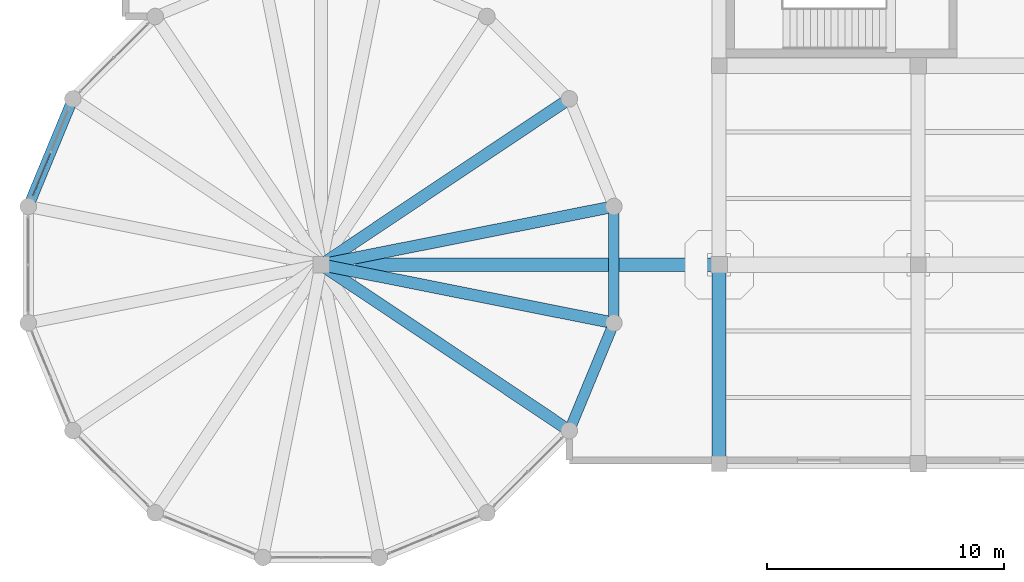
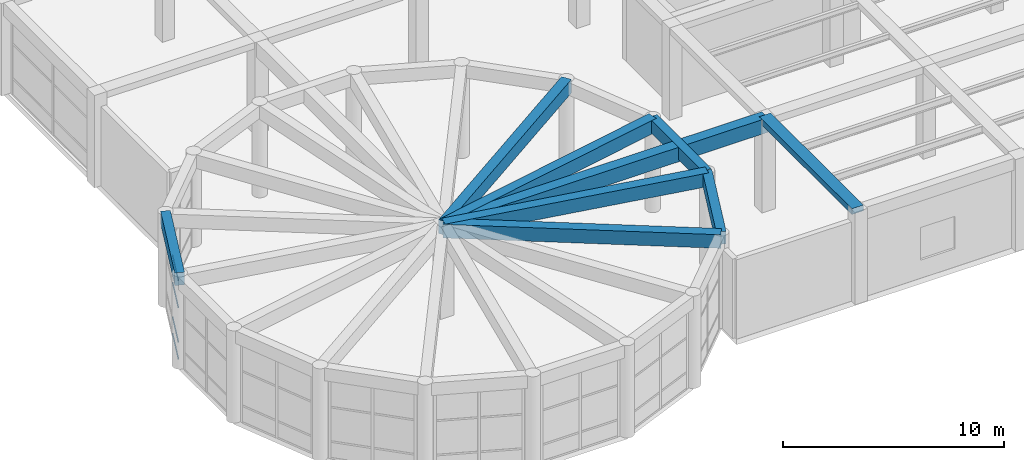
# One storey, part 12 of 96: 9 beams, 4 members, 1 element without a shape of its own.
"""IFC4 building model written with IfcOpenShell, lengths in metres."""

from ifc_helpers import new_model, si_unit, direction, frame, origin, origin_2d, place, context, subcontext, project, spatial, rectangle, hollow_rectangle, extrude, material, material_profile, profile_set, type_object, element, aggregate, save


model = new_model("IFC4")

# Units and contexts
model_context = context("Model", 3, precision=1e-05, world=origin(), true_north=direction((0.0, 1.0)))
body_context = subcontext(model_context, "Body", "Model", "MODEL_VIEW")
ifc_project = project(units=[si_unit("LENGTHUNIT", "METRE"), si_unit("AREAUNIT", "SQUARE_METRE"), si_unit("VOLUMEUNIT", "CUBIC_METRE"), si_unit("PLANEANGLEUNIT", "RADIAN"), si_unit("MASSUNIT", "GRAM", prefix="KILO")], contexts=[model_context])

# Site, building, storey
site_placement = place(None, origin())
site = spatial("IfcSite", under=ifc_project, at=site_placement, CompositionType="ELEMENT")
building_placement = place(site_placement, origin())
building = spatial("IfcBuilding", under=site, at=building_placement, Name="Almacenes y Pasaje Nevantli", CompositionType="ELEMENT")
storey_placement = place(building_placement, frame((0.0, 0.0, 6.0)))
storey = spatial("IfcBuildingStorey", under=building, at=storey_placement, Name="L02", CompositionType="ELEMENT", Elevation=6.0)

# Beams
ifc_material_1 = material(Name="Concrete C35/45", Category="concrete")
ifc_material_profile_1 = material_profile(ifc_material_1, rectangle(XDim=0.449951171875, YDim=0.699951171875, at=origin_2d()), Name="RC-BM-450x700")
ifc_profile_set_1 = profile_set([ifc_material_profile_1], Name="Concrete C35/45")
beam_type_1 = type_object("IfcBeamType", Name="BM-RC-450x700", PredefinedType="SPANDREL", material=ifc_profile_set_1)
for number, where, z_axis, x_axis, name in (
    (1, (-2.076416015625, 15.400146484375, 4.75), (-0.38272458482, -0.923862485532, 0.0), (0.923862485532, -0.38272458482, 0.0), "L02 Rotunda Ring Spandrel Beam #7"),
    (2, (18.87646484375, 1.39990234375, 4.75), (0.382682198272, 0.923880043688, 0.0), (-0.923880043688, 0.382682198272, 0.0), "L02 Rotunda Ring Spandrel Beam #15"),
    (3, (20.7578125, 5.94189453125, 4.75), (0.0, 1.0, 0.0), (-1.0, 0.0, 0.0), "L02 Rotunda Ring Spandrel Beam #16"),
):
    element("IfcBeam", number, at=place(storey_placement, frame(where, z_axis=z_axis, x_axis=x_axis)), inside=storey, type_object=beam_type_1, Name=name, PredefinedType="SPANDREL", context=body_context, shape_type="SweptSolid", body=[
        extrude(rectangle(XDim=0.449951171875, YDim=0.699951171875, at=origin_2d()), origin(), (0.0, 0.0, 1.0), 4.916259765625),
    ])
ifc_material_2 = material(Name="Concrete C35/45", Category="concrete")
ifc_material_profile_2 = material_profile(ifc_material_2, rectangle(XDim=0.5, YDim=0.75, at=origin_2d()), Name="RC-BM-500x750")
ifc_profile_set_2 = profile_set([ifc_material_profile_2], Name="Concrete C35/45")
beam_type_2 = type_object("IfcBeamType", Name="BM-RC-500x750", PredefinedType="BEAM", material=ifc_profile_set_2)
for number, where, z_axis, x_axis, name in (
    (4, (8.39990234375, 8.39990234375, 4.72509765625), (0.980783597961, 0.195098780036, 0.0), (-0.195098780036, 0.980783597961, 0.0), "L02 Rotunda Radial Girder #1"),
    (5, (8.39990234375, 8.39990234375, 4.72509765625), (0.831468553537, 0.55557181757, 0.0), (-0.55557181757, 0.831468553537, 0.0), "L02 Rotunda Radial Girder #2"),
):
    element("IfcBeam", number, at=place(storey_placement, frame(where, z_axis=z_axis, x_axis=x_axis)), inside=storey, type_object=beam_type_2, Name=name, PredefinedType="BEAM", context=body_context, shape_type="SweptSolid", body=[
        extrude(rectangle(XDim=0.5, YDim=0.75, at=origin_2d()), origin(), (0.0, 0.0, 1.0), 12.60009765625),
    ])
beam_1_placement = place(storey_placement, frame((8.39990234375, 8.39990234375, 4.72509765625), z_axis=(0.831477504146, -0.55555842186, 0.0), x_axis=(0.55555842186, 0.831477504146, 0.0)))
element("IfcBeam", 6, at=beam_1_placement, inside=storey, type_object=beam_type_2, Name="L02 Rotunda Radial Girder #15", PredefinedType="BEAM", context=body_context, shape_type="SweptSolid", body=[
    extrude(rectangle(XDim=0.5, YDim=0.75, at=origin_2d()), origin(), (0.0, 0.0, 1.0), 12.599853515625),
])
beam_2_placement = place(storey_placement, frame((8.39990234375, 8.39990234375, 4.72509765625), z_axis=(0.980787305424, -0.195080141274, 0.0), x_axis=(0.195080141274, 0.980787305424, 0.0)))
element("IfcBeam", 7, at=beam_2_placement, inside=storey, type_object=beam_type_2, Name="L02 Rotunda Radial Girder #16", PredefinedType="BEAM", context=body_context, shape_type="SweptSolid", body=[
    extrude(rectangle(XDim=0.5, YDim=0.75, at=origin_2d()), origin(), (0.0, 0.0, 1.0), 12.60009765625),
])
ifc_material_3 = material(Name="Concrete C35/45", Category="concrete")
ifc_material_profile_3 = material_profile(ifc_material_3, rectangle(XDim=0.550048828125, YDim=0.800048828125, at=origin_2d()), Name="RC-BM-550x800")
ifc_profile_set_3 = profile_set([ifc_material_profile_3], Name="Concrete C35/45")
beam_type_3 = type_object("IfcBeamType", Name="BM-RC-550x800", PredefinedType="BEAM", material=ifc_profile_set_3)
beam_3_placement = place(storey_placement, frame((8.39990234375, 8.39990234375, 4.699951171875), z_axis=(1.0, 0.0, 0.0), x_axis=(0.0, 1.0, 0.0)))
element("IfcBeam", 8, at=beam_3_placement, inside=storey, type_object=beam_type_3, Name="L02 Rotunda-to-Grid Collector Girder #2235", PredefinedType="BEAM", context=body_context, shape_type="SweptSolid", body=[
    extrude(rectangle(XDim=0.550048828125, YDim=0.800048828125, at=origin_2d()), origin(), (0.0, 0.0, 1.0), 16.800048828125),
])
ifc_material_4 = material(Name="Concrete C35/45", Category="concrete")
ifc_material_profile_4 = material_profile(ifc_material_4, rectangle(XDim=0.60009765625, YDim=0.320068359375, at=origin_2d()), Name="RC-BM-600x320")
ifc_profile_set_4 = profile_set([ifc_material_profile_4], Name="Concrete C35/45")
beam_type_4 = type_object("IfcBeamType", Name="BM-RC-600x320", PredefinedType="BEAM", material=ifc_profile_set_4)
beam_4_placement = place(storey_placement, frame((25.199951171875, 0.0, 4.93994140625), z_axis=(0.0, 1.0, 0.0), x_axis=(-1.0, 0.0, 0.0)))
element("IfcBeam", 9, at=beam_4_placement, inside=storey, type_object=beam_type_4, Name="L02 North-South Reinforced Concrete Beam #1997", PredefinedType="BEAM", context=body_context, shape_type="SweptSolid", body=[
    extrude(rectangle(XDim=0.60009765625, YDim=0.320068359375, at=origin_2d()), origin(), (0.0, 0.0, 1.0), 8.39990234375),
])

# Curtain wall, members
ifc_material_5 = material(Name="Thermally Broken Aluminium and Low-E Glass", Category="aluminium")
curtain_wall_type = type_object("IfcCurtainWallType", Name="CW-UNIT-ROTUNDA", PredefinedType="USERDEFINED", material=ifc_material_5)
curtain_wall_placement = place(storey_placement, origin())
curtain_wall = element("IfcCurtainWall", 10, at=curtain_wall_placement, inside=storey, type_object=curtain_wall_type, Name="L02 Corner Rotunda Faceted Curtain Wall Facet #7", ObjectType="UNITIZED CURTAIN WALL", PredefinedType="USERDEFINED")
ifc_material_6 = material(Name="Thermally Broken Anodized Aluminium", Category="aluminium")
ifc_material_profile_5 = material_profile(ifc_material_6, hollow_rectangle(XDim=0.050048828125, YDim=0.090087890625, WallThickness=0.0029296875, at=origin_2d()), Name="ALU-TRN-50x90")
ifc_profile_set_5 = profile_set([ifc_material_profile_5], Name="Thermally Broken Anodized Aluminium")
member_type = type_object("IfcMemberType", Name="CW-TRN-100", PredefinedType="USERDEFINED", material=ifc_profile_set_5)
member_1_placement = place(storey_placement, frame((-3.02685546875, 13.106201171875, 0.02490234375), z_axis=(-0.382662992588, -0.923887998679, 0.0), x_axis=(0.923887998679, -0.382662992588, 0.0)))
member_1 = element("IfcMember", 11, at=member_1_placement, type_object=member_type, Name="CW-L02-026 transom 2.1", ObjectType="TRANSOM", PredefinedType="USERDEFINED", context=body_context, shape_type="SweptSolid", body=[
    extrude(hollow_rectangle(XDim=0.050048828125, YDim=0.090087890625, WallThickness=0.0029296875, at=origin_2d()), origin(), (0.0, 0.0, 1.0), 1.963134765625),
])
member_2_placement = place(storey_placement, frame((-3.02685546875, 13.106201171875, 0.949951171875), z_axis=(-0.382662992588, -0.923887998679, 0.0), x_axis=(0.923887998679, -0.382662992588, 0.0)))
member_2 = element("IfcMember", 12, at=member_2_placement, type_object=member_type, Name="CW-L02-026 transom 2.2", ObjectType="TRANSOM", PredefinedType="USERDEFINED", context=body_context, shape_type="SweptSolid", body=[
    extrude(hollow_rectangle(XDim=0.050048828125, YDim=0.090087890625, WallThickness=0.0029296875, at=origin_2d()), origin(), (0.0, 0.0, 1.0), 1.963134765625),
])
member_3_placement = place(storey_placement, frame((-3.02685546875, 13.106201171875, 2.85009765625), z_axis=(-0.382662992588, -0.923887998679, 0.0), x_axis=(0.923887998679, -0.382662992588, 0.0)))
member_3 = element("IfcMember", 13, at=member_3_placement, type_object=member_type, Name="CW-L02-026 transom 2.3", ObjectType="TRANSOM", PredefinedType="USERDEFINED", context=body_context, shape_type="SweptSolid", body=[
    extrude(hollow_rectangle(XDim=0.050048828125, YDim=0.090087890625, WallThickness=0.0029296875, at=origin_2d()), origin(), (0.0, 0.0, 1.0), 1.963134765625),
])
member_4_placement = place(storey_placement, frame((-3.02685546875, 13.106201171875, 4.35498046875), z_axis=(-0.382662992588, -0.923887998679, 0.0), x_axis=(0.923887998679, -0.382662992588, 0.0)))
member_4 = element("IfcMember", 14, at=member_4_placement, type_object=member_type, Name="CW-L02-026 transom 2.4", ObjectType="TRANSOM", PredefinedType="USERDEFINED", context=body_context, shape_type="SweptSolid", body=[
    extrude(hollow_rectangle(XDim=0.050048828125, YDim=0.090087890625, WallThickness=0.0029296875, at=origin_2d()), origin(), (0.0, 0.0, 1.0), 1.963134765625),
])
aggregate(curtain_wall, [member_1, member_2, member_3, member_4])

save(model, "model.ifc")
